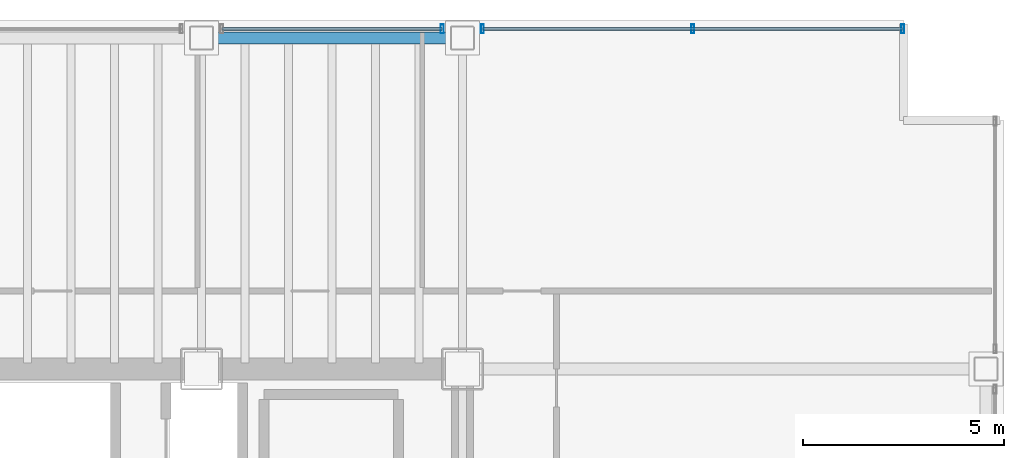
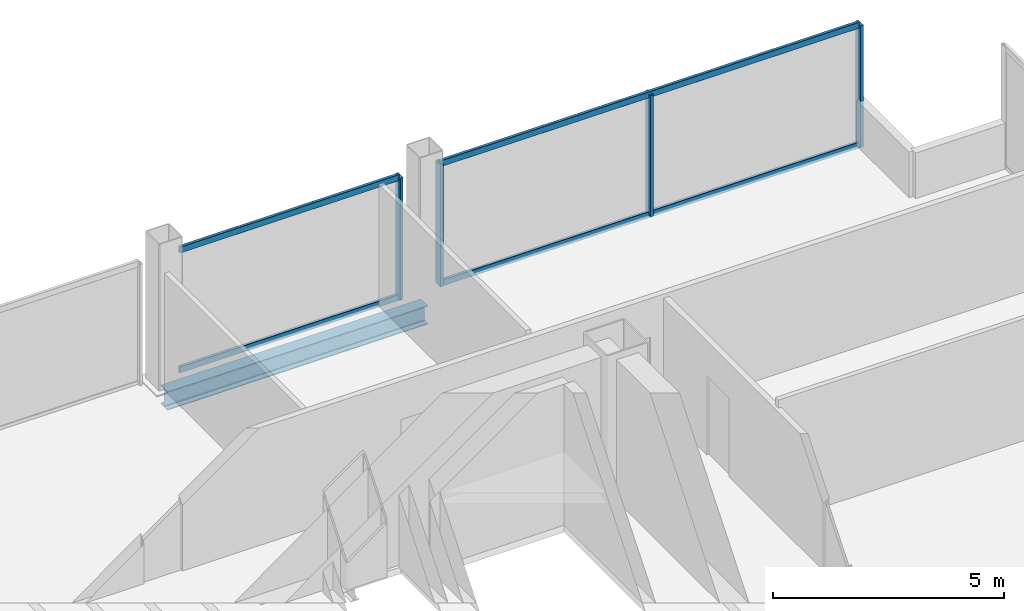
# One storey, part 15 of 20: 8 members, 1 beam, 2 elements without a shape of their own.
"""IFC4 building model written with IfcOpenShell, lengths in metres."""

from ifc_helpers import new_model, si_unit, direction, frame, origin, origin_2d, place, context, subcontext, project, spatial, hollow_rectangle, i_section, extrude, material, material_profile, profile_set, type_object, element, aggregate, save


model = new_model("IFC4")

# Units and contexts
model_context = context("Model", 3, precision=1e-05, world=origin(), true_north=direction((0.0, 1.0)))
body_context = subcontext(model_context, "Body", "Model", "MODEL_VIEW")
ifc_project = project(units=[si_unit("LENGTHUNIT", "METRE"), si_unit("AREAUNIT", "SQUARE_METRE"), si_unit("VOLUMEUNIT", "CUBIC_METRE"), si_unit("PLANEANGLEUNIT", "RADIAN"), si_unit("MASSUNIT", "GRAM", prefix="KILO")], contexts=[model_context])

# Site, building, storey
site_placement = place(None, origin())
site = spatial("IfcSite", under=ifc_project, at=site_placement, CompositionType="ELEMENT")
building_placement = place(site_placement, origin())
building = spatial("IfcBuilding", under=site, at=building_placement, Name="Noeulbin Bourse Tower", CompositionType="ELEMENT")
storey_placement = place(building_placement, frame((0.0, 0.0, 73.300048828125)))
storey = spatial("IfcBuildingStorey", under=building, at=storey_placement, Name="L18", CompositionType="ELEMENT", Elevation=73.300048828125)

# Beam
ifc_material_1 = material(Name="Steel S355", Category="steel")
ifc_material_profile_1 = material_profile(ifc_material_1, i_section(OverallWidth=0.300048828125, OverallDepth=0.488037109375, WebThickness=0.010986328125, FlangeThickness=0.01806640625, FilletRadius=0.02197265625, at=origin_2d()), Name="H-488x300x11x18", Category="LoadBearing")
ifc_profile_set_1 = profile_set([ifc_material_profile_1], Name="Steel S355")
beam_type = type_object("IfcBeamType", Name="BM-SPN-488", PredefinedType="SPANDREL", material=ifc_profile_set_1)
beam_placement = place(storey_placement, frame((37.5, 46.550048828125, -0.424072265625), z_axis=(1.0, 0.0, 0.0), x_axis=(0.0, 1.0, 0.0)))
element("IfcBeam", 1, at=beam_placement, inside=storey, type_object=beam_type, Name="North Spandrel L18-4", PredefinedType="SPANDREL", context=body_context, shape_type="SweptSolid", body=[
    extrude(i_section(OverallWidth=0.300048828125, OverallDepth=0.488037109375, WebThickness=0.010986328125, FlangeThickness=0.01806640625, FilletRadius=0.02197265625, at=origin_2d()), origin(), (0.0, 0.0, 1.0), 6.5),
])

# Curtain wall, member
ifc_material_2 = material(Name="Dark Solar-Control Double Glazing", Category="glass")
curtain_wall_type = type_object("IfcCurtainWallType", Name="CW-SYS-2", PredefinedType="NOTDEFINED", material=ifc_material_2)
curtain_wall_1_placement = place(storey_placement, origin())
curtain_wall_1 = element("IfcCurtainWall", 2, at=curtain_wall_1_placement, inside=storey, type_object=curtain_wall_type, Name="Unitised Curtain Wall CW-L18-N-S5", PredefinedType="NOTDEFINED")
ifc_material_3 = material(Name="Anodised Aluminium 6063-T6", Category="aluminium")
ifc_material_profile_2 = material_profile(ifc_material_3, hollow_rectangle(XDim=0.074951171875, YDim=0.219970703125, WallThickness=0.0048828125, InnerFilletRadius=0.00244140625, OuterFilletRadius=0.0048828125, at=origin_2d()), Name="ALU-MULL-75x220x5", Category="LoadBearing")
ifc_profile_set_2 = profile_set([ifc_material_profile_2], Name="Anodised Aluminium 6063-T6")
member_type_1 = type_object("IfcMemberType", Name="CW-SYS-2-MUL", PredefinedType="MULLION", material=ifc_profile_set_2)
member_1_placement = place(storey_placement, frame((43.5, 46.780029296875, -0.02001953125), z_axis=(0.0, 0.0, 1.0), x_axis=(1.0, 0.0, 0.0)))
member_1 = element("IfcMember", 3, at=member_1_placement, type_object=member_type_1, Name="Curtain Wall Mullion CW-L18-N-S5-M01", PredefinedType="MULLION", context=body_context, shape_type="SweptSolid", body=[
    extrude(hollow_rectangle(XDim=0.074951171875, YDim=0.219970703125, WallThickness=0.0048828125, InnerFilletRadius=0.00244140625, OuterFilletRadius=0.0048828125, at=origin_2d()), origin(), (0.0, 0.0, 1.0), 3.219970703125),
])

# Curtain wall, members
curtain_wall_2_placement = place(storey_placement, origin())
curtain_wall_2 = element("IfcCurtainWall", 4, at=curtain_wall_2_placement, inside=storey, type_object=curtain_wall_type, Name="Unitised Curtain Wall CW-L18-N-S6", PredefinedType="NOTDEFINED")
member_2_placement = place(storey_placement, frame((44.5, 46.780029296875, -0.02001953125), z_axis=(0.0, 0.0, 1.0), x_axis=(1.0, 0.0, 0.0)))
member_2 = element("IfcMember", 5, at=member_2_placement, type_object=member_type_1, Name="Curtain Wall Mullion CW-L18-N-S6-M00", PredefinedType="MULLION", context=body_context, shape_type="SweptSolid", body=[
    extrude(hollow_rectangle(XDim=0.074951171875, YDim=0.219970703125, WallThickness=0.0048828125, InnerFilletRadius=0.00244140625, OuterFilletRadius=0.0048828125, at=origin_2d()), origin(), (0.0, 0.0, 1.0), 3.219970703125),
])
member_3_placement = place(storey_placement, frame((49.739990234375, 46.780029296875, -0.02001953125), z_axis=(0.0, 0.0, 1.0), x_axis=(1.0, 0.0, 0.0)))
member_3 = element("IfcMember", 6, at=member_3_placement, type_object=member_type_1, Name="Curtain Wall Mullion CW-L18-N-S6-M01", PredefinedType="MULLION", context=body_context, shape_type="SweptSolid", body=[
    extrude(hollow_rectangle(XDim=0.074951171875, YDim=0.219970703125, WallThickness=0.0048828125, InnerFilletRadius=0.00244140625, OuterFilletRadius=0.0048828125, at=origin_2d()), origin(), (0.0, 0.0, 1.0), 3.219970703125),
])
member_4_placement = place(storey_placement, frame((54.97998046875, 46.780029296875, -0.02001953125), z_axis=(0.0, 0.0, 1.0), x_axis=(1.0, 0.0, 0.0)))
member_4 = element("IfcMember", 7, at=member_4_placement, type_object=member_type_1, Name="Curtain Wall Mullion CW-L18-N-S6-M02", PredefinedType="MULLION", context=body_context, shape_type="SweptSolid", body=[
    extrude(hollow_rectangle(XDim=0.074951171875, YDim=0.219970703125, WallThickness=0.0048828125, InnerFilletRadius=0.00244140625, OuterFilletRadius=0.0048828125, at=origin_2d()), origin(), (0.0, 0.0, 1.0), 3.219970703125),
])

# Member
ifc_material_profile_3 = material_profile(ifc_material_3, hollow_rectangle(XDim=0.074951171875, YDim=0.159912109375, WallThickness=0.0048828125, InnerFilletRadius=0.00244140625, OuterFilletRadius=0.0048828125, at=origin_2d()), Name="ALU-TRAN-75x160x5", Category="LoadBearing")
ifc_profile_set_3 = profile_set([ifc_material_profile_3], Name="Anodised Aluminium 6063-T6")
member_type_2 = type_object("IfcMemberType", Name="CW-SYS-2-TRN", PredefinedType="USERDEFINED", material=ifc_profile_set_3)
member_5_placement = place(storey_placement, frame((38.010009765625, 46.780029296875, 0.010009765625), z_axis=(1.0, 0.0, 0.0), x_axis=(0.0, 1.0, 0.0)))
member_5 = element("IfcMember", 8, at=member_5_placement, type_object=member_type_2, Name="Curtain Wall Transom CW-L18-N-S5-T00", ObjectType="TRANSOM", PredefinedType="USERDEFINED", context=body_context, shape_type="SweptSolid", body=[
    extrude(hollow_rectangle(XDim=0.074951171875, YDim=0.159912109375, WallThickness=0.0048828125, InnerFilletRadius=0.00244140625, OuterFilletRadius=0.0048828125, at=origin_2d()), origin(), (0.0, 0.0, 1.0), 5.47998046875),
])

member_6_placement = place(storey_placement, frame((38.010009765625, 46.780029296875, 3.169921875), z_axis=(1.0, 0.0, 0.0), x_axis=(0.0, 1.0, 0.0)))
member_6 = element("IfcMember", 9, at=member_6_placement, type_object=member_type_2, Name="Curtain Wall Transom CW-L18-N-S5-T01", ObjectType="TRANSOM", PredefinedType="USERDEFINED", context=body_context, shape_type="SweptSolid", body=[
    extrude(hollow_rectangle(XDim=0.074951171875, YDim=0.159912109375, WallThickness=0.0048828125, InnerFilletRadius=0.00244140625, OuterFilletRadius=0.0048828125, at=origin_2d()), origin(), (0.0, 0.0, 1.0), 5.47998046875),
])

aggregate(curtain_wall_1, [member_1, member_5, member_6])

member_7_placement = place(storey_placement, frame((44.510009765625, 46.780029296875, 0.010009765625), z_axis=(1.0, 0.0, 0.0), x_axis=(0.0, 1.0, 0.0)))
member_7 = element("IfcMember", 10, at=member_7_placement, type_object=member_type_2, Name="Curtain Wall Transom CW-L18-N-S6-T00", ObjectType="TRANSOM", PredefinedType="USERDEFINED", context=body_context, shape_type="SweptSolid", body=[
    extrude(hollow_rectangle(XDim=0.074951171875, YDim=0.159912109375, WallThickness=0.0048828125, InnerFilletRadius=0.00244140625, OuterFilletRadius=0.0048828125, at=origin_2d()), origin(), (0.0, 0.0, 1.0), 10.4599609375),
])

member_8_placement = place(storey_placement, frame((44.510009765625, 46.780029296875, 3.169921875), z_axis=(1.0, 0.0, 0.0), x_axis=(0.0, 1.0, 0.0)))
member_8 = element("IfcMember", 11, at=member_8_placement, type_object=member_type_2, Name="Curtain Wall Transom CW-L18-N-S6-T01", ObjectType="TRANSOM", PredefinedType="USERDEFINED", context=body_context, shape_type="SweptSolid", body=[
    extrude(hollow_rectangle(XDim=0.074951171875, YDim=0.159912109375, WallThickness=0.0048828125, InnerFilletRadius=0.00244140625, OuterFilletRadius=0.0048828125, at=origin_2d()), origin(), (0.0, 0.0, 1.0), 10.4599609375),
])

aggregate(curtain_wall_2, [member_2, member_3, member_4, member_7, member_8])

save(model, "model.ifc")
